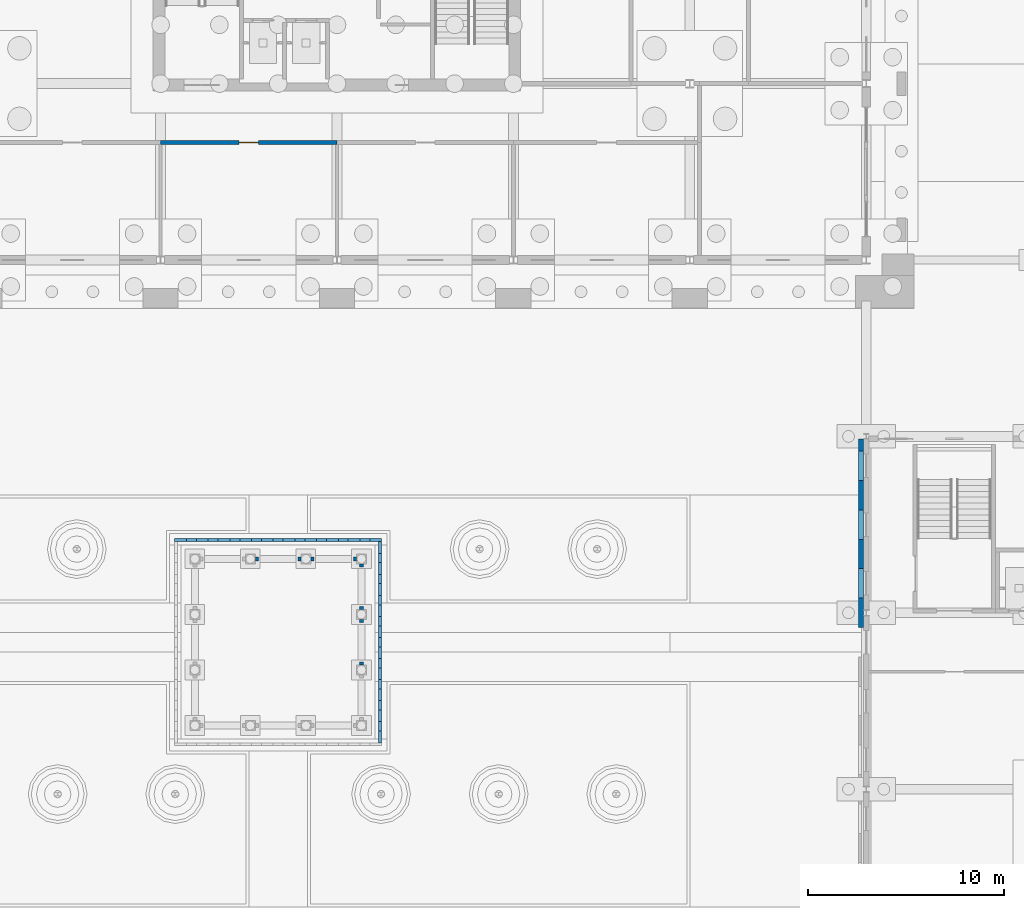
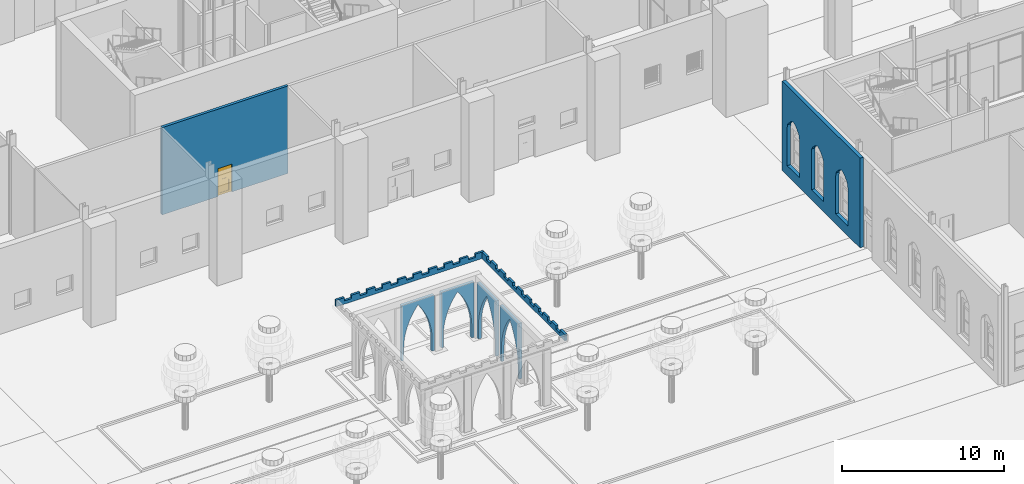
# One storey, part 103 of 250: 8 walls, 1 door, 1 opening.
"""IFC4 building model written with IfcOpenShell, lengths in metres."""

from ifc_helpers import new_model, si_unit, direction, frame, frame_2d, origin, place, context, subcontext, project, spatial, polyline, rectangle, outline, extrude, material, layer, layer_set, type_object, element, fill, save


model = new_model("IFC4")

# Units and contexts
model_context = context("Model", 3, precision=1e-05, world=origin(), true_north=direction((0.0, 1.0)))
body_context = subcontext(model_context, "Body", "Model", "MODEL_VIEW")
ifc_project = project(units=[si_unit("LENGTHUNIT", "METRE"), si_unit("AREAUNIT", "SQUARE_METRE"), si_unit("VOLUMEUNIT", "CUBIC_METRE"), si_unit("PLANEANGLEUNIT", "RADIAN"), si_unit("MASSUNIT", "GRAM", prefix="KILO")], contexts=[model_context])

# Site, building, storey
site_placement = place(None, origin())
site = spatial("IfcSite", under=ifc_project, at=site_placement, CompositionType="ELEMENT")
building_placement = place(site_placement, origin())
building = spatial("IfcBuilding", under=site, at=building_placement, Name="Baradari Gate Terminus", CompositionType="ELEMENT")
storey_placement = place(building_placement, origin())
storey = spatial("IfcBuildingStorey", under=building, at=storey_placement, Name="L00", CompositionType="ELEMENT", Elevation=0.0)

# Walls
ifc_material_1 = material(Name="Precast concrete C40/50", Category="concrete")
ifc_layer_1 = layer(ifc_material_1, 0.199951171875)
ifc_layer_set_1 = layer_set([ifc_layer_1], Name="Precast concrete C40/50")
wall_type_1 = type_object("IfcWallType", Name="Court pavilion arched spandrel wall CPA-1 200", PredefinedType="SOLIDWALL", material=ifc_layer_set_1)
for number, where, z_axis, x_axis, name in (
    (1, (37.25, 96.333251953125, 0.14990234375), (0.0, 0.0, 1.0), (0.0, 1.0, 0.0), "Court pavilion arched wall 5"),
    (2, (37.25, 99.166748046875, 0.14990234375), (0.0, 0.0, 1.0), (0.0, 1.0, 0.0), "Court pavilion arched wall 6"),
    (3, (37.0, 101.75, 0.14990234375), (0.0, 0.0, 1.0), (-1.0, 0.0, 0.0), "Court pavilion arched wall 7"),
    (4, (34.166748046875, 101.75, 0.14990234375), (0.0, 0.0, 1.0), (-1.0, 0.0, 0.0), "Court pavilion arched wall 8"),
):
    element("IfcWall", number, at=place(storey_placement, frame(where, z_axis=z_axis, x_axis=x_axis)), inside=storey, type_object=wall_type_1, Name=name, PredefinedType="SOLIDWALL", context=body_context, shape_type="SweptSolid", body=[
        extrude(outline(polyline([(0.14990234375, 0.0), (0.14990234375, 0.900146484375), (0.1572265625, 1.164794921875), (0.17919921875, 1.4287109375), (0.2158203125, 1.69091796875), (0.2666015625, 1.950927734375), (0.33203125, 2.20751953125), (0.411376953125, 2.460205078125), (0.50439453125, 2.7080078125), (0.611083984375, 2.950439453125), (0.731201171875, 3.1865234375), (0.864013671875, 3.415771484375), (1.00927734375, 3.63720703125), (1.166748046875, 3.85009765625), (1.323974609375, 3.63720703125), (1.46923828125, 3.415771484375), (1.60205078125, 3.1865234375), (1.72216796875, 2.950439453125), (1.828857421875, 2.7080078125), (1.922119140625, 2.460205078125), (2.00146484375, 2.20751953125), (2.066650390625, 1.950927734375), (2.11767578125, 1.69091796875), (2.154052734375, 1.4287109375), (2.176025390625, 1.164794921875), (2.183349609375, 0.900146484375), (2.183349609375, 0.0), (2.333251953125, 0.0), (2.333251953125, 4.2001953125), (0.0, 4.2001953125), (0.0, 0.0), (0.14990234375, 0.0)])), frame((0.0, 0.10009765625, 0.0), z_axis=(0.0, -1.0, 0.0), x_axis=(1.0, 0.0, 0.0)), (0.0, 0.0, 1.0), 0.199951171875),
    ])
ifc_material_2 = material(Name="Precast concrete C40/50", Category="concrete")
ifc_layer_2 = layer(ifc_material_2, 0.14990234375)
ifc_layer_set_2 = layer_set([ifc_layer_2], Name="Precast concrete C40/50")
wall_type_2 = type_object("IfcWallType", Name="Court pavilion merlon upstand CPU-1 150", PredefinedType="SOLIDWALL", material=ifc_layer_set_2)
wall_1_placement = place(storey_placement, frame((38.205078125, 92.3701171875, 5.10009765625), z_axis=(0.0, 0.0, 1.0), x_axis=(0.0, 1.0, 0.0)))
element("IfcWall", 5, at=wall_1_placement, inside=storey, type_object=wall_type_2, Name="Court pavilion merlon upstand 2", PredefinedType="SOLIDWALL", context=body_context, shape_type="SweptSolid", body=[
    extrude(outline(polyline([(0.0, 0.0), (10.260009765625, 0.0), (10.260009765625, 0.5), (9.659912109375, 0.5), (9.659912109375, 0.25), (9.186767578125, 0.25), (9.186767578125, 0.5), (8.586669921875, 0.5), (8.586669921875, 0.25), (8.11328125, 0.25), (8.11328125, 0.5), (7.51318359375, 0.5), (7.51318359375, 0.25), (7.0400390625, 0.25), (7.0400390625, 0.5), (6.43994140625, 0.5), (6.43994140625, 0.25), (5.966796875, 0.25), (5.966796875, 0.5), (5.36669921875, 0.5), (5.36669921875, 0.25), (4.893310546875, 0.25), (4.893310546875, 0.5), (4.293212890625, 0.5), (4.293212890625, 0.25), (3.820068359375, 0.25), (3.820068359375, 0.5), (3.219970703125, 0.5), (3.219970703125, 0.25), (2.74658203125, 0.25), (2.74658203125, 0.5), (2.146728515625, 0.5), (2.146728515625, 0.25), (1.67333984375, 0.25), (1.67333984375, 0.5), (1.0732421875, 0.5), (1.0732421875, 0.25), (0.60009765625, 0.25), (0.60009765625, 0.5), (0.0, 0.5), (0.0, 0.0)])), frame((0.0, 0.074951171875, 0.0), z_axis=(0.0, -1.0, 0.0), x_axis=(1.0, 0.0, 0.0)), (0.0, 0.0, 1.0), 0.14990234375),
])
wall_2_placement = place(storey_placement, frame((38.280029296875, 102.705078125, 5.10009765625), z_axis=(0.0, 0.0, 1.0), x_axis=(-1.0, 0.0, 0.0)))
element("IfcWall", 6, at=wall_2_placement, inside=storey, type_object=wall_type_2, Name="Court pavilion merlon upstand 3", PredefinedType="SOLIDWALL", context=body_context, shape_type="SweptSolid", body=[
    extrude(outline(polyline([(0.0, 0.0), (10.56005859375, 0.0), (10.56005859375, 0.5), (9.9599609375, 0.5), (9.9599609375, 0.25), (9.453369140625, 0.25), (9.453369140625, 0.5), (8.853271484375, 0.5), (8.853271484375, 0.25), (8.3466796875, 0.25), (8.3466796875, 0.5), (7.74658203125, 0.5), (7.74658203125, 0.25), (7.239990234375, 0.25), (7.239990234375, 0.5), (6.639892578125, 0.5), (6.639892578125, 0.25), (6.13330078125, 0.25), (6.13330078125, 0.5), (5.533203125, 0.5), (5.533203125, 0.25), (5.026611328125, 0.25), (5.026611328125, 0.5), (4.4267578125, 0.5), (4.4267578125, 0.25), (3.919921875, 0.25), (3.919921875, 0.5), (3.320068359375, 0.5), (3.320068359375, 0.25), (2.813232421875, 0.25), (2.813232421875, 0.5), (2.21337890625, 0.5), (2.21337890625, 0.25), (1.706787109375, 0.25), (1.706787109375, 0.5), (1.106689453125, 0.5), (1.106689453125, 0.25), (0.60009765625, 0.25), (0.60009765625, 0.5), (0.0, 0.5), (0.0, 0.0)])), frame((0.0, 0.074951171875, 0.0), z_axis=(0.0, -1.0, 0.0), x_axis=(1.0, 0.0, 0.0)), (0.0, 0.0, 1.0), 0.14990234375),
])
ifc_material_3 = material(Name="Laterite masonry", Category="masonry")
ifc_layer_3 = layer(ifc_material_3, 0.25)
ifc_layer_set_3 = layer_set([ifc_layer_3], Name="Laterite masonry")
wall_type_3 = type_object("IfcWallType", Name="Laterite masonry wall WP-1 250", PredefinedType="SOLIDWALL", material=ifc_layer_set_3)
wall_3_placement = place(storey_placement, frame((62.735107421875, 98.25, 0.0), z_axis=(0.0, 0.0, 1.0), x_axis=(0.0, 1.0, 0.0)))
element("IfcWall", 7, at=wall_3_placement, inside=storey, type_object=wall_type_3, Name="Front course HW 1b 1", PredefinedType="SOLIDWALL", context=body_context, shape_type="SweptSolid", body=[
    extrude(outline(polyline([(0.0, 0.0), (9.619873046875, 0.0), (9.619873046875, 6.767333984375), (0.0, 6.767333984375), (0.0, 0.0)]), holes=[polyline([(1.5, 3.60009765625), (1.530029296875, 3.85205078125), (1.64990234375, 4.068115234375), (1.7548828125, 4.1220703125), (1.844970703125, 4.26611328125), (2.0400390625, 4.409912109375), (2.25, 4.5), (2.4599609375, 4.409912109375), (2.655029296875, 4.26611328125), (2.7451171875, 4.1220703125), (2.85009765625, 4.068115234375), (2.969970703125, 3.85205078125), (3.0, 3.60009765625), (3.0, 0.75), (1.5, 0.75), (1.5, 3.60009765625)]), polyline([(4.530029296875, 3.85205078125), (4.64990234375, 4.068115234375), (4.7548828125, 4.1220703125), (4.844970703125, 4.26611328125), (5.0400390625, 4.409912109375), (5.25, 4.5), (5.4599609375, 4.409912109375), (5.655029296875, 4.26611328125), (5.7451171875, 4.1220703125), (5.85009765625, 4.068115234375), (5.969970703125, 3.85205078125), (6.0, 3.60009765625), (6.0, 0.75), (4.5, 0.75), (4.5, 3.60009765625), (4.530029296875, 3.85205078125)]), polyline([(7.530029296875, 3.85205078125), (7.64990234375, 4.068115234375), (7.7548828125, 4.1220703125), (7.844970703125, 4.26611328125), (8.0400390625, 4.409912109375), (8.25, 4.5), (8.4599609375, 4.409912109375), (8.655029296875, 4.26611328125), (8.7451171875, 4.1220703125), (8.85009765625, 4.068115234375), (8.969970703125, 3.85205078125), (9.0, 3.60009765625), (9.0, 0.75), (7.5, 0.75), (7.5, 3.60009765625), (7.530029296875, 3.85205078125)])]), frame((0.0, 0.125, 0.0), z_axis=(0.0, -1.0, 0.0), x_axis=(1.0, 0.0, 0.0)), (0.0, 0.0, 1.0), 0.25),
])

# Wall, opening, door
ifc_material_4 = material(Name="Blockwork wall, plastered, fire rated", Category="masonry")
ifc_layer_4 = layer(ifc_material_4, 0.199951171875)
ifc_layer_set_4 = layer_set([ifc_layer_4], Name="Blockwork wall, plastered, fire rated")
wall_type_4 = type_object("IfcWallType", Name="Lobby partition PT-4 200 EI 60", PredefinedType="PARTITIONING", material=ifc_layer_set_4)
wall_4_placement = place(storey_placement, frame((36.0, 123.0, 0.0), z_axis=(0.0, 0.0, 1.0), x_axis=(-1.0, 0.0, 0.0)))
wall_4 = element("IfcWall", 8, at=wall_4_placement, inside=storey, type_object=wall_type_4, Name="PT-4 partition Staff and Visitor Lobby / Mail Room", PredefinedType="PARTITIONING", context=body_context, shape_type="SweptSolid", body=[
    extrude(rectangle(XDim=9.0, YDim=0.199951171875, at=frame_2d((4.5, 0.0))), origin(), (0.0, 0.0, 1.0), 6.60009765625),
])
opening_placement = place(wall_4_placement, frame((4.0, 0.0, 0.0)))
opening = element("IfcOpeningElement", 9, at=opening_placement, cuts=wall_4, Name="Opening D00-096", PredefinedType="OPENING", context=body_context, shape_type="SweptSolid", body=[
    extrude(rectangle(XDim=1.0, YDim=2.10009765625, at=frame_2d((0.5, 1.050048828125))), frame((0.0, 0.10986328125, 0.0), z_axis=(0.0, -1.0, 0.0), x_axis=(1.0, 0.0, 0.0)), (0.0, 0.0, 1.0), 0.219970703125),
])
ifc_material_5 = material(Name="Steel S275", Category="steel")
door_type = type_object("IfcDoorType", Name="Fire door FI-1000-FD60S 1000x2100 FD60S", OperationType="SINGLE_SWING_LEFT", PredefinedType="DOOR", material=ifc_material_5)
door_placement = place(opening_placement, origin())
door = element("IfcDoor", 10, at=door_placement, inside=storey, type_object=door_type, Name="Door Mail Room", OperationType="SINGLE_SWING_LEFT", OverallHeight=2.1, OverallWidth=1.0, PredefinedType="DOOR", context=body_context, shape_type="SweptSolid", body=[
    extrude(outline(polyline([(0.0, 0.0), (0.070068359375, 0.0), (0.070068359375, 2.030029296875), (0.929931640625, 2.030029296875), (0.929931640625, 0.0), (1.0, 0.0), (1.0, 2.10009765625), (0.0, 2.10009765625), (0.0, 0.0)])), frame((0.0, 0.02490234375, 0.0), z_axis=(0.0, -1.0, 0.0), x_axis=(1.0, 0.0, 0.0)), (0.0, 0.0, 1.0), 0.050048828125),
    extrude(outline(polyline([(0.073974609375, 0.010009765625), (0.926025390625, 0.010009765625), (0.926025390625, 2.026123046875), (0.073974609375, 2.026123046875), (0.073974609375, 0.010009765625)]), holes=[polyline([(0.194091796875, 0.159912109375), (0.805908203125, 0.159912109375), (0.805908203125, 1.010009765625), (0.194091796875, 1.010009765625), (0.194091796875, 0.159912109375)]), polyline([(0.35009765625, 1.159912109375), (0.64990234375, 1.159912109375), (0.64990234375, 1.760009765625), (0.35009765625, 1.760009765625), (0.35009765625, 1.159912109375)])]), frame((0.0, 0.017333984375, 0.0), z_axis=(0.0, -1.0, 0.0), x_axis=(1.0, 0.0, 0.0)), (0.0, 0.0, 1.0), 0.034912109375),
    extrude(rectangle(XDim=0.61181640625, YDim=0.85009765625, at=frame_2d((0.5, 0.5849609375))), frame((0.0, 0.008544921875, 0.0), z_axis=(0.0, -1.0, 0.0), x_axis=(1.0, 0.0, 0.0)), (0.0, 0.0, 1.0), 0.017333984375),
    extrude(rectangle(XDim=0.2998046875, YDim=0.60009765625, at=frame_2d((0.5, 1.4599609375))), frame((0.0, 0.005859375, 0.0), z_axis=(0.0, -1.0, 0.0), x_axis=(1.0, 0.0, 0.0)), (0.0, 0.0, 1.0), 0.011962890625),
])
fill(opening, door)

save(model, "model.ifc")
